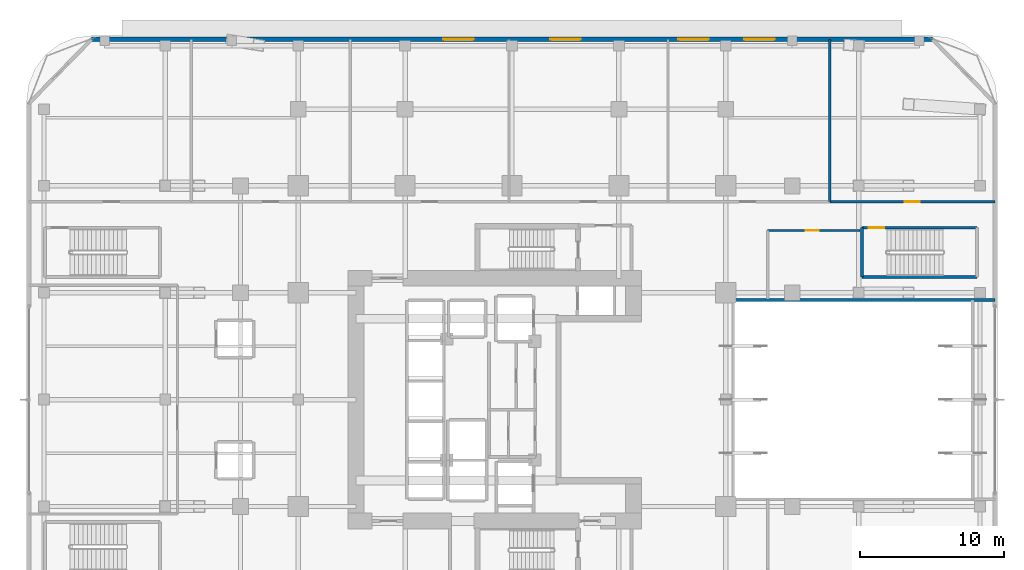
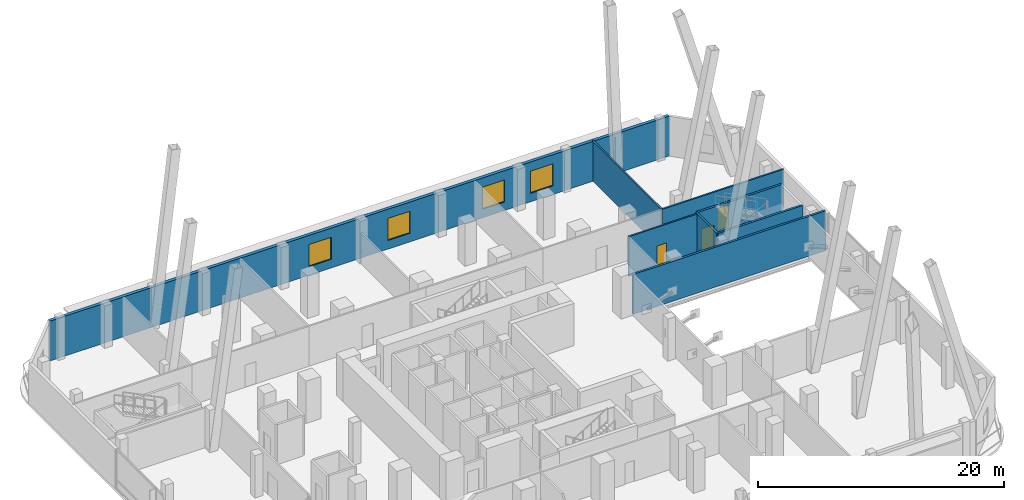
# One storey, part 14 of 23: 8 walls, 4 windows, 3 doors, 7 openings.
"""IFC4 building model written with IfcOpenShell, lengths in metres."""

from ifc_helpers import new_model, si_unit, direction, frame, frame_2d, origin, place, context, subcontext, project, spatial, rectangle, extrude, material, layer, layer_set, type_object, element, fill, save


model = new_model("IFC4")

# Units and contexts
model_context = context("Model", 3, precision=1e-05, world=origin(), true_north=direction((0.0, 1.0)))
body_context = subcontext(model_context, "Body", "Model", "MODEL_VIEW")
ifc_project = project(units=[si_unit("LENGTHUNIT", "METRE"), si_unit("AREAUNIT", "SQUARE_METRE"), si_unit("VOLUMEUNIT", "CUBIC_METRE"), si_unit("PLANEANGLEUNIT", "RADIAN"), si_unit("MASSUNIT", "GRAM", prefix="KILO")], contexts=[model_context])

# Site, building, storey
site_placement = place(None, origin())
site = spatial("IfcSite", under=ifc_project, at=site_placement, CompositionType="ELEMENT")
building_placement = place(site_placement, origin())
building = spatial("IfcBuilding", under=site, at=building_placement, Name="Khorvyn Point Tower", CompositionType="ELEMENT")
storey_placement = place(building_placement, frame((0.0, 0.0, 9.0)))
storey = spatial("IfcBuildingStorey", under=building, at=storey_placement, Name="L03", CompositionType="ELEMENT", Elevation=9.0)

# Walls
ifc_material_1 = material(Name="Concrete C40/50", Category="concrete")
ifc_layer_1 = layer(ifc_material_1, 0.199951171875)
ifc_layer_set_1 = layer_set([ifc_layer_1], Name="Concrete C40/50 Fire-Lobby Compartment Wall 200")
wall_type_1 = type_object("IfcWallType", Name="Concrete C40/50 Fire-Lobby Compartment Wall 200", PredefinedType="SOLIDWALL", material=ifc_layer_set_1)
wall_1_placement = place(storey_placement, frame((15.320068359375, 6.89990234375, 0.0), z_axis=(0.0, 0.0, 1.0), x_axis=(1.0, 0.0, 0.0)))
element("IfcWall", 1, at=wall_1_placement, inside=storey, type_object=wall_type_1, Name="Wall", PredefinedType="SOLIDWALL", context=body_context, shape_type="SweptSolid", body=[
    extrude(rectangle(XDim=18.099853515625, YDim=0.199951171875, at=frame_2d((9.0498046875, 0.0))), origin(), (0.0, 0.0, 1.0), 3.9599609375),
])
ifc_layer_2 = layer(ifc_material_1, 0.199951171875)
ifc_layer_set_2 = layer_set([ifc_layer_2], Name="Concrete C40/50 Structural Hoistway and Stair Shaft Wall 200")
wall_type_2 = type_object("IfcWallType", Name="Concrete C40/50 Structural Hoistway and Stair Shaft Wall 200", PredefinedType="SHEAR", material=ifc_layer_set_2)
wall_2_placement = place(storey_placement, frame((24.219970703125, 8.47998046875, 0.0), z_axis=(0.0, 0.0, 1.0), x_axis=(0.0, 1.0, 0.0)))
element("IfcWall", 2, at=wall_2_placement, inside=storey, type_object=wall_type_2, Name="Wall", PredefinedType="SHEAR", context=body_context, shape_type="SweptSolid", body=[
    extrude(rectangle(XDim=3.419921875, YDim=0.199951171875, at=frame_2d((1.7099609375, 0.0))), origin(), (0.0, 0.0, 1.0), 3.9599609375),
])
wall_3_placement = place(storey_placement, frame((32.179931640625, 8.47998046875, 0.0), z_axis=(0.0, 0.0, 1.0), x_axis=(-1.0, 0.0, 0.0)))
element("IfcWall", 3, at=wall_3_placement, inside=storey, type_object=wall_type_2, Name="Wall", PredefinedType="SHEAR", context=body_context, shape_type="SweptSolid", body=[
    extrude(rectangle(XDim=7.9599609375, YDim=0.199951171875, at=frame_2d((3.97998046875, 0.0))), origin(), (0.0, 0.0, 1.0), 3.9599609375),
])

# Wall, opening, door
wall_4_placement = place(storey_placement, frame((24.219970703125, 11.89990234375, 0.0), z_axis=(0.0, 0.0, 1.0), x_axis=(1.0, 0.0, 0.0)))
wall_4 = element("IfcWall", 4, at=wall_4_placement, inside=storey, type_object=wall_type_2, Name="Wall", PredefinedType="SHEAR", context=body_context, shape_type="SweptSolid", body=[
    extrude(rectangle(XDim=7.9599609375, YDim=0.199951171875, at=frame_2d((3.97998046875, 0.0))), origin(), (0.0, 0.0, 1.0), 3.9599609375),
])
opening_1_placement = place(wall_4_placement, frame((0.4599609375, 0.0, 0.0)))
opening_1 = element("IfcOpeningElement", 5, at=opening_1_placement, cuts=wall_4, Name="Opening ID-FL90", PredefinedType="OPENING", context=body_context, shape_type="SweptSolid", body=[
    extrude(rectangle(XDim=1.10009765625, YDim=2.14990234375, at=frame_2d((0.550048828125, 1.074951171875))), frame((0.0, 0.10986328125, 0.0), z_axis=(0.0, -1.0, 0.0), x_axis=(1.0, 0.0, 0.0)), (0.0, 0.0, 1.0), 0.219970703125),
])
ifc_material_2 = material(Name="Galvanised powder-coated steel", Category="steel")
door_type_1 = type_object("IfcDoorType", Name="Fire-Rated Steel Lobby and Stair Door 1100x2150", OperationType="NOTDEFINED", PredefinedType="DOOR", material=ifc_material_2)
door_1_placement = place(opening_1_placement, origin())
door_1 = element("IfcDoor", 6, at=door_1_placement, inside=storey, type_object=door_type_1, Name="L03 ST-S3 Smokeproof Landing Door", OperationType="SINGLE_SWING_RIGHT", OverallHeight=2.14990234375, OverallWidth=1.10009765625, PredefinedType="DOOR", context=body_context, shape_type="SweptSolid", body=[
    extrude(rectangle(XDim=1.10009765625, YDim=2.14990234375, at=frame_2d((0.550048828125, 1.074951171875))), frame((0.0, 0.02490234375, 0.0), z_axis=(0.0, -1.0, 0.0), x_axis=(1.0, 0.0, 0.0)), (0.0, 0.0, 1.0), 0.050048828125),
])
fill(opening_1, door_1)

ifc_material_3 = material(Name="Moisture-resistant gypsum and cement board", Category="gypsum")
ifc_layer_3 = layer(ifc_material_3, 0.14990234375)
ifc_layer_set_3 = layer_set([ifc_layer_3], Name="Moisture-Resistant Wet-Room Partition Wall 150")
wall_type_3 = type_object("IfcWallType", Name="Moisture-Resistant Wet-Room Partition Wall 150", PredefinedType="PARTITIONING", material=ifc_layer_set_3)
wall_5_placement = place(storey_placement, frame((22.0, 13.699951171875, 0.0), z_axis=(0.0, 0.0, 1.0), x_axis=(1.0, 0.0, 0.0)))
wall_5 = element("IfcWall", 7, at=wall_5_placement, inside=storey, type_object=wall_type_3, Name="Wall", PredefinedType="PARTITIONING", context=body_context, shape_type="SweptSolid", body=[
    extrude(rectangle(XDim=11.419921875, YDim=0.14990234375, at=frame_2d((5.7099609375, 0.0))), origin(), (0.0, 0.0, 1.0), 3.9599609375),
])
opening_2_placement = place(wall_5_placement, frame((5.18505859375, 0.0, 0.0)))
opening_2 = element("IfcOpeningElement", 8, at=opening_2_placement, cuts=wall_5, Name="Opening ID-CL30", PredefinedType="OPENING", context=body_context, shape_type="SweptSolid", body=[
    extrude(rectangle(XDim=1.050048828125, YDim=2.199951171875, at=frame_2d((0.52490234375, 1.10009765625))), frame((0.0, 0.0849609375, 0.0), z_axis=(0.0, -1.0, 0.0), x_axis=(1.0, 0.0, 0.0)), (0.0, 0.0, 1.0), 0.169921875),
])
ifc_material_4 = material(Name="Hardwood timber and wired safety glass", Category="wood")
door_type_2 = type_object("IfcDoorType", Name="Glazed-Vision-Panel Classroom Timber Door 1050x2200", OperationType="NOTDEFINED", PredefinedType="DOOR", material=ifc_material_4)
door_2_placement = place(opening_2_placement, origin())
door_2 = element("IfcDoor", 9, at=door_2_placement, inside=storey, type_object=door_type_2, Name="Door", OperationType="SINGLE_SWING_LEFT", OverallHeight=2.199951171875, OverallWidth=1.050048828125, PredefinedType="DOOR", context=body_context, shape_type="SweptSolid", body=[
    extrude(rectangle(XDim=1.050048828125, YDim=2.199951171875, at=frame_2d((0.52490234375, 1.10009765625))), frame((0.0, 0.02490234375, 0.0), z_axis=(0.0, -1.0, 0.0), x_axis=(1.0, 0.0, 0.0)), (0.0, 0.0, 1.0), 0.050048828125),
])
fill(opening_2, door_2)

wall_6_placement = place(storey_placement, frame((17.699951171875, 11.699951171875, 0.0), z_axis=(0.0, 0.0, 1.0), x_axis=(1.0, 0.0, 0.0)))
wall_6 = element("IfcWall", 10, at=wall_6_placement, inside=storey, type_object=wall_type_3, Name="Wall", PredefinedType="PARTITIONING", context=body_context, shape_type="SweptSolid", body=[
    extrude(rectangle(XDim=6.380126953125, YDim=0.14990234375, at=frame_2d((3.18994140625, 0.0))), origin(), (0.0, 0.0, 1.0), 3.9599609375),
])
opening_3_placement = place(wall_6_placement, frame((2.65087890625, 0.0, 0.0)))
opening_3 = element("IfcOpeningElement", 11, at=opening_3_placement, cuts=wall_6, Name="Opening ID-RM90", PredefinedType="OPENING", context=body_context, shape_type="SweptSolid", body=[
    extrude(rectangle(XDim=0.89990234375, YDim=2.10009765625, at=frame_2d((0.449951171875, 1.050048828125))), frame((0.0, 0.0849609375, 0.0), z_axis=(0.0, -1.0, 0.0), x_axis=(1.0, 0.0, 0.0)), (0.0, 0.0, 1.0), 0.169921875),
])
ifc_material_5 = material(Name="Engineered oak veneer timber", Category="wood")
door_type_3 = type_object("IfcDoorType", Name="Flush Engineered Timber Room Door 900x2100", OperationType="NOTDEFINED", PredefinedType="DOOR", material=ifc_material_5)
door_3_placement = place(opening_3_placement, origin())
door_3 = element("IfcDoor", 12, at=door_3_placement, inside=storey, type_object=door_type_3, Name="Door", OperationType="SINGLE_SWING_RIGHT", OverallHeight=2.10009765625, OverallWidth=0.89990234375, PredefinedType="DOOR", context=body_context, shape_type="SweptSolid", body=[
    extrude(rectangle(XDim=0.89990234375, YDim=2.10009765625, at=frame_2d((0.449951171875, 1.050048828125))), frame((0.0, 0.02490234375, 0.0), z_axis=(0.0, -1.0, 0.0), x_axis=(1.0, 0.0, 0.0)), (0.0, 0.0, 1.0), 0.050048828125),
])
fill(opening_3, door_3)

# Wall
wall_7_placement = place(storey_placement, frame((22.0, 13.699951171875, 0.0), z_axis=(0.0, 0.0, 1.0), x_axis=(0.0, 1.0, 0.0)))
element("IfcWall", 13, at=wall_7_placement, inside=storey, type_object=wall_type_3, Name="Wall", PredefinedType="PARTITIONING", context=body_context, shape_type="SweptSolid", body=[
    extrude(rectangle(XDim=11.219970703125, YDim=0.14990234375, at=frame_2d((5.60986328125, 0.0))), origin(), (0.0, 0.0, 1.0), 3.9599609375),
])

# Wall, openings, windows
ifc_material_6 = material(Name="Precast concrete C35/45", Category="concrete")
ifc_layer_4 = layer(ifc_material_6, 0.300048828125)
ifc_layer_set_4 = layer_set([ifc_layer_4], Name="Precast Concrete C35/45 Insulated Podium Facade Wall 300")
wall_type_4 = type_object("IfcWallType", Name="Precast Concrete C35/45 Insulated Podium Facade Wall 300", PredefinedType="SOLIDWALL", material=ifc_layer_set_4)
wall_8_placement = place(storey_placement, frame((-29.10009765625, 24.949951171875, 0.0), z_axis=(0.0, 0.0, 1.0), x_axis=(1.0, 0.0, 0.0)))
wall_8 = element("IfcWall", 14, at=wall_8_placement, inside=storey, type_object=wall_type_4, Name="L03 North Podium Facade Wall", PredefinedType="SOLIDWALL", context=body_context, shape_type="SweptSolid", body=[
    extrude(rectangle(XDim=58.2001953125, YDim=0.300048828125, at=frame_2d((29.10009765625, 0.0))), origin(), (0.0, 0.0, 1.0), 3.9599609375),
])
opening_4_placement = place(wall_8_placement, frame((24.35009765625, 0.0, 0.85009765625)))
opening_4 = element("IfcOpeningElement", 15, at=opening_4_placement, cuts=wall_8, Name="Opening WN-2122", PredefinedType="OPENING", context=body_context, shape_type="SweptSolid", body=[
    extrude(rectangle(XDim=2.10009765625, YDim=2.199951171875, at=frame_2d((1.050048828125, 1.10009765625))), frame((0.0, 0.159912109375, 0.0), z_axis=(0.0, -1.0, 0.0), x_axis=(1.0, 0.0, 0.0)), (0.0, 0.0, 1.0), 0.320068359375),
])
opening_5_placement = place(wall_8_placement, frame((31.75, 0.0, 0.85009765625)))
opening_5 = element("IfcOpeningElement", 16, at=opening_5_placement, cuts=wall_8, Name="Opening WN-2122", PredefinedType="OPENING", context=body_context, shape_type="SweptSolid", body=[
    extrude(rectangle(XDim=2.10009765625, YDim=2.199951171875, at=frame_2d((1.050048828125, 1.10009765625))), frame((0.0, 0.159912109375, 0.0), z_axis=(0.0, -1.0, 0.0), x_axis=(1.0, 0.0, 0.0)), (0.0, 0.0, 1.0), 0.320068359375),
])
opening_6_placement = place(wall_8_placement, frame((40.625, 0.0, 0.85009765625)))
opening_6 = element("IfcOpeningElement", 17, at=opening_6_placement, cuts=wall_8, Name="Opening WN-2122", PredefinedType="OPENING", context=body_context, shape_type="SweptSolid", body=[
    extrude(rectangle(XDim=2.10009765625, YDim=2.199951171875, at=frame_2d((1.050048828125, 1.10009765625))), frame((0.0, 0.159912109375, 0.0), z_axis=(0.0, -1.0, 0.0), x_axis=(1.0, 0.0, 0.0)), (0.0, 0.0, 1.0), 0.320068359375),
])
opening_7_placement = place(wall_8_placement, frame((45.175048828125, 0.0, 0.85009765625)))
opening_7 = element("IfcOpeningElement", 18, at=opening_7_placement, cuts=wall_8, Name="Opening WN-2122", PredefinedType="OPENING", context=body_context, shape_type="SweptSolid", body=[
    extrude(rectangle(XDim=2.10009765625, YDim=2.199951171875, at=frame_2d((1.050048828125, 1.10009765625))), frame((0.0, 0.159912109375, 0.0), z_axis=(0.0, -1.0, 0.0), x_axis=(1.0, 0.0, 0.0)), (0.0, 0.0, 1.0), 0.320068359375),
])
ifc_material_7 = material(Name="Anodised aluminium 6063-T6 and laminated Low-E glass", Category="aluminium")
window_type = type_object("IfcWindowType", Name="Anodised Aluminium School Classroom Daylight Window 2100x2200", PartitioningType="TRIPLE_PANEL_HORIZONTAL", PredefinedType="WINDOW", material=ifc_material_7)
window_1_placement = place(opening_4_placement, origin())
window_1 = element("IfcWindow", 19, at=window_1_placement, inside=storey, type_object=window_type, Name="L03 North Classroom Daylight Window N1", OverallHeight=2.199951171875, OverallWidth=2.10009765625, PartitioningType="SINGLE_PANEL", PredefinedType="WINDOW", context=body_context, shape_type="SweptSolid", body=[
    extrude(rectangle(XDim=2.10009765625, YDim=2.199951171875, at=frame_2d((1.050048828125, 1.10009765625))), frame((0.0, 0.030029296875, 0.0), z_axis=(0.0, -1.0, 0.0), x_axis=(1.0, 0.0, 0.0)), (0.0, 0.0, 1.0), 0.06005859375),
])
fill(opening_4, window_1)
window_2_placement = place(opening_5_placement, origin())
window_2 = element("IfcWindow", 20, at=window_2_placement, inside=storey, type_object=window_type, Name="L03 North Classroom Daylight Window N2", OverallHeight=2.199951171875, OverallWidth=2.10009765625, PartitioningType="SINGLE_PANEL", PredefinedType="WINDOW", context=body_context, shape_type="SweptSolid", body=[
    extrude(rectangle(XDim=2.10009765625, YDim=2.199951171875, at=frame_2d((1.050048828125, 1.10009765625))), frame((0.0, 0.030029296875, 0.0), z_axis=(0.0, -1.0, 0.0), x_axis=(1.0, 0.0, 0.0)), (0.0, 0.0, 1.0), 0.06005859375),
])
fill(opening_5, window_2)
window_3_placement = place(opening_6_placement, origin())
window_3 = element("IfcWindow", 21, at=window_3_placement, inside=storey, type_object=window_type, Name="L03 North Classroom Daylight Window N3", OverallHeight=2.199951171875, OverallWidth=2.10009765625, PartitioningType="SINGLE_PANEL", PredefinedType="WINDOW", context=body_context, shape_type="SweptSolid", body=[
    extrude(rectangle(XDim=2.10009765625, YDim=2.199951171875, at=frame_2d((1.050048828125, 1.10009765625))), frame((0.0, 0.030029296875, 0.0), z_axis=(0.0, -1.0, 0.0), x_axis=(1.0, 0.0, 0.0)), (0.0, 0.0, 1.0), 0.06005859375),
])
fill(opening_6, window_3)
window_4_placement = place(opening_7_placement, origin())
window_4 = element("IfcWindow", 22, at=window_4_placement, inside=storey, type_object=window_type, Name="L03 North Classroom Daylight Window N4", OverallHeight=2.199951171875, OverallWidth=2.10009765625, PartitioningType="SINGLE_PANEL", PredefinedType="WINDOW", context=body_context, shape_type="SweptSolid", body=[
    extrude(rectangle(XDim=2.10009765625, YDim=2.199951171875, at=frame_2d((1.050048828125, 1.10009765625))), frame((0.0, 0.030029296875, 0.0), z_axis=(0.0, -1.0, 0.0), x_axis=(1.0, 0.0, 0.0)), (0.0, 0.0, 1.0), 0.06005859375),
])
fill(opening_7, window_4)

save(model, "model.ifc")
